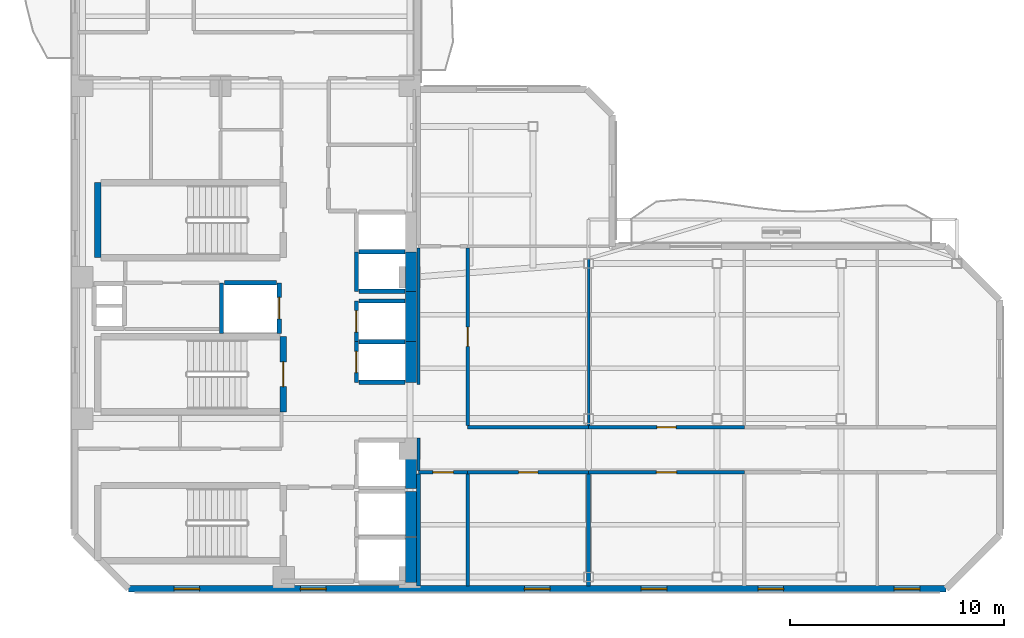
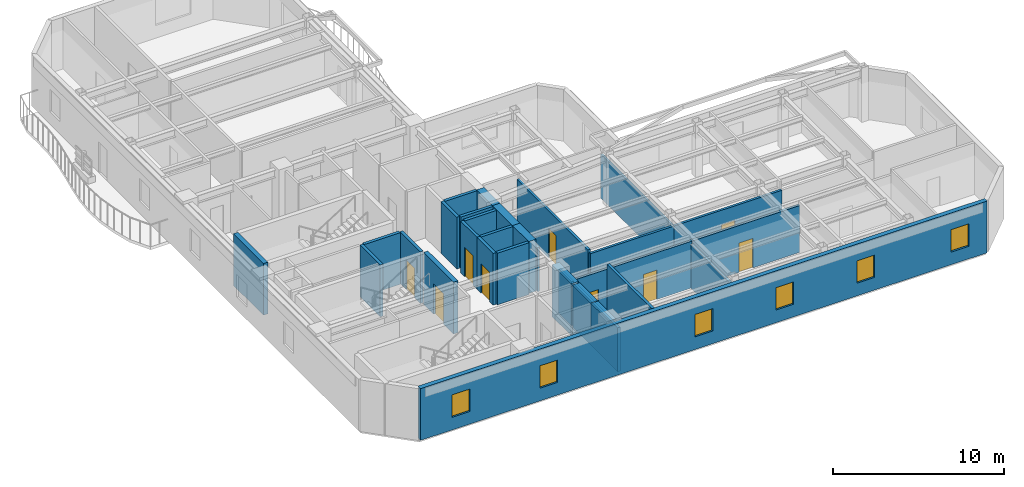
# One storey, part 3 of 13: 32 walls, 9 doors, 6 windows, 15 openings.
"""IFC4 building model written with IfcOpenShell, lengths in metres."""

from ifc_helpers import new_model, si_unit, direction, frame, frame_2d, origin, place, context, subcontext, project, spatial, rectangle, extrude, material, layer, layer_set, type_object, element, fill, save


model = new_model("IFC4")

# Units and contexts
model_context = context("Model", 3, precision=1e-05, world=origin(), true_north=direction((0.0, 1.0)))
body_context = subcontext(model_context, "Body", "Model", "MODEL_VIEW")
ifc_project = project(units=[si_unit("LENGTHUNIT", "METRE"), si_unit("AREAUNIT", "SQUARE_METRE"), si_unit("VOLUMEUNIT", "CUBIC_METRE"), si_unit("PLANEANGLEUNIT", "RADIAN"), si_unit("MASSUNIT", "GRAM", prefix="KILO")], contexts=[model_context])

# Site, building, storey
site_placement = place(None, origin())
site = spatial("IfcSite", under=ifc_project, at=site_placement, CompositionType="ELEMENT")
building_placement = place(site_placement, origin())
building = spatial("IfcBuilding", under=site, at=building_placement, Name="Mawjaban Terraces University", CompositionType="ELEMENT")
storey_placement = place(building_placement, frame((0.0, 0.0, 199.199951171875)))
storey = spatial("IfcBuildingStorey", under=building, at=storey_placement, Name="L48", CompositionType="ELEMENT", Elevation=199.199951171875)

# Wall, opening, door
ifc_material_1 = material(Name="Acoustic masonry blockwork", Category="masonry")
ifc_layer_1 = layer(ifc_material_1, 0.179931640625)
ifc_layer_set_1 = layer_set([ifc_layer_1], Name="Acoustic masonry blockwork")
wall_type_1 = type_object("IfcWallType", Name="AcousticStudioWall_180", PredefinedType="PARTITIONING", material=ifc_layer_set_1)
wall_1_placement = place(storey_placement, frame((38.050048828125, 5.449951171875, 0.0), z_axis=(0.0, 0.0, 1.0), x_axis=(1.0, 0.0, 0.0)))
wall_1 = element("IfcWall", 1, at=wall_1_placement, inside=storey, type_object=wall_type_1, Name="L48 South Spine Spur Link Partition 18", PredefinedType="PARTITIONING", context=body_context, shape_type="SweptSolid", body=[
    extrude(rectangle(XDim=2.300048828125, YDim=0.179931640625, at=frame_2d((1.14990234375, 0.0))), origin(), (0.0, 0.0, 1.0), 3.343017578125),
])
opening_1_placement = place(wall_1_placement, frame((0.675048828125, 0.0, 0.0)))
opening_1 = element("IfcOpeningElement", 2, at=opening_1_placement, cuts=wall_1, Name="Opening ID-095", PredefinedType="OPENING", context=body_context, shape_type="SweptSolid", body=[
    extrude(rectangle(XDim=0.949951171875, YDim=2.10009765625, at=frame_2d((0.47509765625, 1.050048828125))), frame((0.0, 0.099853515625, 0.0), z_axis=(0.0, -1.0, 0.0), x_axis=(1.0, 0.0, 0.0)), (0.0, 0.0, 1.0), 0.199951171875),
])
ifc_material_2 = material(Name="Powder-coated steel frame and solid acoustic timber leaf", Category="steel")
door_type_1 = type_object("IfcDoorType", Name="StudioDoor_950x2100", OperationType="NOTDEFINED", PredefinedType="DOOR", material=ifc_material_2)
door_1_placement = place(opening_1_placement, origin())
door_1 = element("IfcDoor", 3, at=door_1_placement, inside=storey, type_object=door_type_1, Name="L48 Media Workshop 1 Door", OperationType="SINGLE_SWING_RIGHT", OverallHeight=2.10009765625, OverallWidth=0.949951171875, PredefinedType="DOOR", context=body_context, shape_type="SweptSolid", body=[
    extrude(rectangle(XDim=0.949951171875, YDim=2.10009765625, at=frame_2d((0.47509765625, 1.050048828125))), frame((0.0, 0.02490234375, 0.0), z_axis=(0.0, -1.0, 0.0), x_axis=(1.0, 0.0, 0.0)), (0.0, 0.0, 1.0), 0.050048828125),
])
fill(opening_1, door_1)

wall_2_placement = place(storey_placement, frame((46.0, 5.449951171875, 0.0), z_axis=(0.0, 0.0, 1.0), x_axis=(1.0, 0.0, 0.0)))
wall_2 = element("IfcWall", 4, at=wall_2_placement, inside=storey, type_object=wall_type_1, Name="L48 South Shifted Academic Corridor Partition 21", PredefinedType="PARTITIONING", context=body_context, shape_type="SweptSolid", body=[
    extrude(rectangle(XDim=7.27001953125, YDim=0.179931640625, at=frame_2d((3.635009765625, 0.0))), origin(), (0.0, 0.0, 1.0), 3.343017578125),
])
opening_2_placement = place(wall_2_placement, frame((3.159912109375, 0.0, 0.0)))
opening_2 = element("IfcOpeningElement", 5, at=opening_2_placement, cuts=wall_2, Name="Opening ID-095", PredefinedType="OPENING", context=body_context, shape_type="SweptSolid", body=[
    extrude(rectangle(XDim=0.949951171875, YDim=2.10009765625, at=frame_2d((0.47509765625, 1.050048828125))), frame((0.0, 0.099853515625, 0.0), z_axis=(0.0, -1.0, 0.0), x_axis=(1.0, 0.0, 0.0)), (0.0, 0.0, 1.0), 0.199951171875),
])
door_2_placement = place(opening_2_placement, origin())
door_2 = element("IfcDoor", 6, at=door_2_placement, inside=storey, type_object=door_type_1, Name="L48 Media Workshop 4 Door", OperationType="SINGLE_SWING_LEFT", OverallHeight=2.10009765625, OverallWidth=0.949951171875, PredefinedType="DOOR", context=body_context, shape_type="SweptSolid", body=[
    extrude(rectangle(XDim=0.949951171875, YDim=2.10009765625, at=frame_2d((0.47509765625, 1.050048828125))), frame((0.0, 0.02490234375, 0.0), z_axis=(0.0, -1.0, 0.0), x_axis=(1.0, 0.0, 0.0)), (0.0, 0.0, 1.0), 0.050048828125),
])
fill(opening_2, door_2)

# Walls
wall_3_placement = place(storey_placement, frame((38.050048828125, 5.364990234375, 0.0), z_axis=(0.0, 0.0, 1.0), x_axis=(0.0, -1.0, 0.0)))
element("IfcWall", 7, at=wall_3_placement, inside=storey, type_object=wall_type_1, Name="L48 Media Workshop 1 Partition 46", PredefinedType="PARTITIONING", context=body_context, shape_type="SweptSolid", body=[
    extrude(rectangle(XDim=5.219970703125, YDim=0.179931640625, at=frame_2d((2.60986328125, 0.0))), origin(), (0.0, 0.0, 1.0), 3.13916015625),
])
wall_4_placement = place(storey_placement, frame((40.35009765625, 0.14501953125, 0.0), z_axis=(0.0, 0.0, 1.0), x_axis=(0.0, 1.0, 0.0)))
element("IfcWall", 8, at=wall_4_placement, inside=storey, type_object=wall_type_1, Name="L48 Media Workshop 1 Partition 50", PredefinedType="PARTITIONING", context=body_context, shape_type="SweptSolid", body=[
    extrude(rectangle(XDim=5.219970703125, YDim=0.179931640625, at=frame_2d((2.60986328125, 0.0))), origin(), (0.0, 0.0, 1.0), 3.68994140625),
])
wall_5_placement = place(storey_placement, frame((46.0, 0.14501953125, 0.0), z_axis=(0.0, 0.0, 1.0), x_axis=(0.0, 1.0, 0.0)))
element("IfcWall", 9, at=wall_5_placement, inside=storey, type_object=wall_type_1, Name="L48 Quiet Reading Room 2 Partition 52", PredefinedType="PARTITIONING", context=body_context, shape_type="SweptSolid", body=[
    extrude(rectangle(XDim=5.219970703125, YDim=0.179931640625, at=frame_2d((2.60986328125, 0.0))), origin(), (0.0, 0.0, 1.0), 3.13916015625),
])
ifc_material_3 = material(Name="Concrete C60/75", Category="concrete")
ifc_layer_2 = layer(ifc_material_3, 0.5)
ifc_layer_set_2 = layer_set([ifc_layer_2], Name="Concrete C60/75")
wall_type_2 = type_object("IfcWallType", Name="CoreShearWall_500", PredefinedType="SHEAR", material=ifc_layer_set_2)
wall_6_placement = place(storey_placement, frame((37.699951171875, 0.300048828125, 0.0), z_axis=(0.0, 0.0, 1.0), x_axis=(0.0, 1.0, 0.0)))
element("IfcWall", 10, at=wall_6_placement, inside=storey, type_object=wall_type_2, Name="L48 Lift FL-1 Hoistway Wall East", PredefinedType="SHEAR", context=body_context, shape_type="SweptSolid", body=[
    extrude(rectangle(XDim=2.099853515625, YDim=0.5, at=frame_2d((1.0498046875, 0.0))), origin(), (0.0, 0.0, 1.0), 3.68994140625),
])
wall_7_placement = place(storey_placement, frame((37.699951171875, 2.449951171875, 0.0), z_axis=(0.0, 0.0, 1.0), x_axis=(0.0, 1.0, 0.0)))
element("IfcWall", 11, at=wall_7_placement, inside=storey, type_object=wall_type_2, Name="L48 Lift FL-2 Hoistway Wall East", PredefinedType="SHEAR", context=body_context, shape_type="SweptSolid", body=[
    extrude(rectangle(XDim=2.10009765625, YDim=0.5, at=frame_2d((1.050048828125, 0.0))), origin(), (0.0, 0.0, 1.0), 3.68994140625),
])
wall_8_placement = place(storey_placement, frame((37.699951171875, 4.699951171875, 0.0), z_axis=(0.0, 0.0, 1.0), x_axis=(0.0, 1.0, 0.0)))
element("IfcWall", 12, at=wall_8_placement, inside=storey, type_object=wall_type_2, Name="L48 Lift SL-1 Hoistway Wall East", PredefinedType="SHEAR", context=body_context, shape_type="SweptSolid", body=[
    extrude(rectangle(XDim=2.25, YDim=0.5, at=frame_2d((1.125, 0.0))), origin(), (0.0, 0.0, 1.0), 3.68994140625),
])
wall_9_placement = place(storey_placement, frame((37.699951171875, 9.64990234375, 0.0), z_axis=(0.0, 0.0, 1.0), x_axis=(0.0, 1.0, 0.0)))
element("IfcWall", 13, at=wall_9_placement, inside=storey, type_object=wall_type_2, Name="L48 Lift PL-H1 Hoistway Wall East", PredefinedType="SHEAR", context=body_context, shape_type="SweptSolid", body=[
    extrude(rectangle(XDim=1.900146484375, YDim=0.5, at=frame_2d((0.9501953125, 0.0))), origin(), (0.0, 0.0, 1.0), 3.68994140625),
])
wall_10_placement = place(storey_placement, frame((37.699951171875, 11.550048828125, 0.0), z_axis=(0.0, 0.0, 1.0), x_axis=(0.0, 1.0, 0.0)))
element("IfcWall", 14, at=wall_10_placement, inside=storey, type_object=wall_type_2, Name="L48 Lift PL-H2 Hoistway Wall East", PredefinedType="SHEAR", context=body_context, shape_type="SweptSolid", body=[
    extrude(rectangle(XDim=2.349853515625, YDim=0.5, at=frame_2d((1.1748046875, 0.0))), origin(), (0.0, 0.0, 1.0), 3.68994140625),
])
wall_11_placement = place(storey_placement, frame((37.699951171875, 13.89990234375, 0.0), z_axis=(0.0, 0.0, 1.0), x_axis=(0.0, 1.0, 0.0)))
element("IfcWall", 15, at=wall_11_placement, inside=storey, type_object=wall_type_2, Name="L48 Lift OL-1 Hoistway Wall East", PredefinedType="SHEAR", context=body_context, shape_type="SweptSolid", body=[
    extrude(rectangle(XDim=1.85009765625, YDim=0.5, at=frame_2d((0.925048828125, 0.0))), origin(), (0.0, 0.0, 1.0), 3.68994140625),
])

# Wall, opening, door
ifc_material_4 = material(Name="Fire-rated gypsum board on steel stud", Category="steel")
ifc_layer_3 = layer(ifc_material_4, 0.159912109375)
ifc_layer_set_3 = layer_set([ifc_layer_3], Name="Fire-rated gypsum board on steel stud")
wall_type_3 = type_object("IfcWallType", Name="CorridorPartition_160", PredefinedType="PARTITIONING", material=ifc_layer_set_3)
wall_12_placement = place(storey_placement, frame((40.35009765625, 5.449951171875, 0.0), z_axis=(0.0, 0.0, 1.0), x_axis=(1.0, 0.0, 0.0)))
wall_12 = element("IfcWall", 16, at=wall_12_placement, inside=storey, type_object=wall_type_3, Name="L48 South Shifted Academic Corridor Partition 19", PredefinedType="PARTITIONING", context=body_context, shape_type="SweptSolid", body=[
    extrude(rectangle(XDim=5.64990234375, YDim=0.159912109375, at=frame_2d((2.824951171875, 0.0))), origin(), (0.0, 0.0, 1.0), 3.343017578125),
])
opening_3_placement = place(wall_12_placement, frame((2.375, 0.0, 0.0)))
opening_3 = element("IfcOpeningElement", 17, at=opening_3_placement, cuts=wall_12, Name="Opening ID-090", PredefinedType="OPENING", context=body_context, shape_type="SweptSolid", body=[
    extrude(rectangle(XDim=0.89990234375, YDim=2.10009765625, at=frame_2d((0.449951171875, 1.050048828125))), frame((0.0, 0.08984375, 0.0), z_axis=(0.0, -1.0, 0.0), x_axis=(1.0, 0.0, 0.0)), (0.0, 0.0, 1.0), 0.179931640625),
])
door_type_2 = type_object("IfcDoorType", Name="OfficeDoor_900x2100", OperationType="NOTDEFINED", PredefinedType="DOOR", material=ifc_material_2)
door_3_placement = place(opening_3_placement, origin())
door_3 = element("IfcDoor", 18, at=door_3_placement, inside=storey, type_object=door_type_2, Name="L48 Quiet Reading Room 2 Door", OperationType="SINGLE_SWING_LEFT", OverallHeight=2.10009765625, OverallWidth=0.89990234375, PredefinedType="DOOR", context=body_context, shape_type="SweptSolid", body=[
    extrude(rectangle(XDim=0.89990234375, YDim=2.10009765625, at=frame_2d((0.449951171875, 1.050048828125))), frame((0.0, 0.02490234375, 0.0), z_axis=(0.0, -1.0, 0.0), x_axis=(1.0, 0.0, 0.0)), (0.0, 0.0, 1.0), 0.050048828125),
])
fill(opening_3, door_3)

# Wall
wall_13_placement = place(storey_placement, frame((46.0, 7.550048828125, 0.0), z_axis=(0.0, 0.0, 1.0), x_axis=(-1.0, 0.0, 0.0)))
element("IfcWall", 19, at=wall_13_placement, inside=storey, type_object=wall_type_3, Name="L48 South Shifted Academic Corridor Partition 22", PredefinedType="PARTITIONING", context=body_context, shape_type="SweptSolid", body=[
    extrude(rectangle(XDim=5.64990234375, YDim=0.159912109375, at=frame_2d((2.824951171875, 0.0))), origin(), (0.0, 0.0, 1.0), 3.13916015625),
])

# Wall, opening, door
wall_14_placement = place(storey_placement, frame((53.27001953125, 7.550048828125, 0.0), z_axis=(0.0, 0.0, 1.0), x_axis=(-1.0, 0.0, 0.0)))
wall_14 = element("IfcWall", 20, at=wall_14_placement, inside=storey, type_object=wall_type_3, Name="L48 South Shifted Academic Corridor Partition 26", PredefinedType="PARTITIONING", context=body_context, shape_type="SweptSolid", body=[
    extrude(rectangle(XDim=7.27001953125, YDim=0.159912109375, at=frame_2d((3.635009765625, 0.0))), origin(), (0.0, 0.0, 1.0), 3.13916015625),
])
opening_4_placement = place(wall_14_placement, frame((3.18505859375, 0.0, 0.0)))
opening_4 = element("IfcOpeningElement", 21, at=opening_4_placement, cuts=wall_14, Name="Opening ID-090", PredefinedType="OPENING", context=body_context, shape_type="SweptSolid", body=[
    extrude(rectangle(XDim=0.89990234375, YDim=2.10009765625, at=frame_2d((0.449951171875, 1.050048828125))), frame((0.0, 0.08984375, 0.0), z_axis=(0.0, -1.0, 0.0), x_axis=(1.0, 0.0, 0.0)), (0.0, 0.0, 1.0), 0.179931640625),
])
door_4_placement = place(opening_4_placement, origin())
door_4 = element("IfcDoor", 22, at=door_4_placement, inside=storey, type_object=door_type_2, Name="L48 Quiet Reading Room 5 Door", OperationType="SINGLE_SWING_RIGHT", OverallHeight=2.10009765625, OverallWidth=0.89990234375, PredefinedType="DOOR", context=body_context, shape_type="SweptSolid", body=[
    extrude(rectangle(XDim=0.89990234375, YDim=2.10009765625, at=frame_2d((0.449951171875, 1.050048828125))), frame((0.0, 0.02490234375, 0.0), z_axis=(0.0, -1.0, 0.0), x_axis=(1.0, 0.0, 0.0)), (0.0, 0.0, 1.0), 0.050048828125),
])
fill(opening_4, door_4)

# Walls
wall_15_placement = place(storey_placement, frame((38.050048828125, 7.050048828125, 0.0), z_axis=(0.0, 0.0, 1.0), x_axis=(0.0, -1.0, 0.0)))
element("IfcWall", 23, at=wall_15_placement, inside=storey, type_object=wall_type_3, Name="L48 South Spine Spur Link Partition 47", PredefinedType="PARTITIONING", context=body_context, shape_type="SweptSolid", body=[
    extrude(rectangle(XDim=1.51513671875, YDim=0.159912109375, at=frame_2d((0.757568359375, 0.0))), origin(), (0.0, 0.0, 1.0), 3.13916015625),
])
wall_16_placement = place(storey_placement, frame((38.050048828125, 15.925048828125, 0.0), z_axis=(0.0, 0.0, 1.0), x_axis=(0.0, -1.0, 0.0)))
element("IfcWall", 24, at=wall_16_placement, inside=storey, type_object=wall_type_3, Name="L48 South Spine Spur Link Partition 48", PredefinedType="PARTITIONING", context=body_context, shape_type="SweptSolid", body=[
    extrude(rectangle(XDim=6.375, YDim=0.159912109375, at=frame_2d((3.1875, 0.0))), origin(), (0.0, 0.0, 1.0), 3.13916015625),
])

# Wall, opening, door
wall_17_placement = place(storey_placement, frame((40.35009765625, 7.625, 0.0), z_axis=(0.0, 0.0, 1.0), x_axis=(0.0, 1.0, 0.0)))
wall_17 = element("IfcWall", 25, at=wall_17_placement, inside=storey, type_object=wall_type_3, Name="L48 South Spine Spur Link Partition 51", PredefinedType="PARTITIONING", context=body_context, shape_type="SweptSolid", body=[
    extrude(rectangle(XDim=8.300048828125, YDim=0.159912109375, at=frame_2d((4.14990234375, 0.0))), origin(), (0.0, 0.0, 1.0), 3.343017578125),
])
opening_5_placement = place(wall_17_placement, frame((3.699951171875, 0.0, 0.0)))
opening_5 = element("IfcOpeningElement", 26, at=opening_5_placement, cuts=wall_17, Name="Opening ID-090", PredefinedType="OPENING", context=body_context, shape_type="SweptSolid", body=[
    extrude(rectangle(XDim=0.89990234375, YDim=2.10009765625, at=frame_2d((0.449951171875, 1.050048828125))), frame((0.0, 0.08984375, 0.0), z_axis=(0.0, -1.0, 0.0), x_axis=(1.0, 0.0, 0.0)), (0.0, 0.0, 1.0), 0.179931640625),
])
door_5_placement = place(opening_5_placement, origin())
door_5 = element("IfcDoor", 27, at=door_5_placement, inside=storey, type_object=door_type_2, Name="L48 Reading Salon 3 Door", OperationType="SINGLE_SWING_RIGHT", OverallHeight=2.10009765625, OverallWidth=0.89990234375, PredefinedType="DOOR", context=body_context, shape_type="SweptSolid", body=[
    extrude(rectangle(XDim=0.89990234375, YDim=2.10009765625, at=frame_2d((0.449951171875, 1.050048828125))), frame((0.0, 0.02490234375, 0.0), z_axis=(0.0, -1.0, 0.0), x_axis=(1.0, 0.0, 0.0)), (0.0, 0.0, 1.0), 0.050048828125),
])
fill(opening_5, door_5)

# Wall, openings, windows
ifc_material_5 = material(Name="Insulated terracotta rainscreen on concrete backup C40/50", Category="masonry")
ifc_layer_4 = layer(ifc_material_5, 0.300048828125)
ifc_layer_set_4 = layer_set([ifc_layer_4], Name="Insulated terracotta rainscreen on concrete backup C40/50")
wall_type_4 = type_object("IfcWallType", Name="ExtTerracottaWall_300", PredefinedType="SOLIDWALL", material=ifc_layer_set_4)
wall_18_placement = place(storey_placement, frame((24.5, 0.0, 0.0), z_axis=(0.0, 0.0, 1.0), x_axis=(1.0, 0.0, 0.0)))
wall_18 = element("IfcWall", 28, at=wall_18_placement, inside=storey, type_object=wall_type_4, Name="L48 Exterior Terracotta Wall 1", PredefinedType="SOLIDWALL", context=body_context, shape_type="SweptSolid", body=[
    extrude(rectangle(XDim=38.199951171875, YDim=0.300048828125, at=frame_2d((19.10009765625, 0.0))), origin(), (0.0, 0.0, 1.0), 3.68994140625),
])
opening_6_placement = place(wall_18_placement, frame((2.12890625, 0.0, 0.89990234375)))
opening_6 = element("IfcOpeningElement", 29, at=opening_6_placement, cuts=wall_18, Name="Opening W-01", PredefinedType="OPENING", context=body_context, shape_type="SweptSolid", body=[
    extrude(rectangle(XDim=1.199951171875, YDim=1.60009765625, at=frame_2d((0.60009765625, 0.800048828125))), frame((0.0, 0.159912109375, 0.0), z_axis=(0.0, -1.0, 0.0), x_axis=(1.0, 0.0, 0.0)), (0.0, 0.0, 1.0), 0.320068359375),
])
opening_7_placement = place(wall_18_placement, frame((8.035888671875, 0.0, 0.89990234375)))
opening_7 = element("IfcOpeningElement", 30, at=opening_7_placement, cuts=wall_18, Name="Opening W-01", PredefinedType="OPENING", context=body_context, shape_type="SweptSolid", body=[
    extrude(rectangle(XDim=1.199951171875, YDim=1.60009765625, at=frame_2d((0.60009765625, 0.800048828125))), frame((0.0, 0.159912109375, 0.0), z_axis=(0.0, -1.0, 0.0), x_axis=(1.0, 0.0, 0.0)), (0.0, 0.0, 1.0), 0.320068359375),
])
opening_8_placement = place(wall_18_placement, frame((18.5, 0.0, 0.89990234375)))
opening_8 = element("IfcOpeningElement", 31, at=opening_8_placement, cuts=wall_18, Name="Opening W-01", PredefinedType="OPENING", context=body_context, shape_type="SweptSolid", body=[
    extrude(rectangle(XDim=1.199951171875, YDim=1.60009765625, at=frame_2d((0.60009765625, 0.800048828125))), frame((0.0, 0.159912109375, 0.0), z_axis=(0.0, -1.0, 0.0), x_axis=(1.0, 0.0, 0.0)), (0.0, 0.0, 1.0), 0.320068359375),
])
opening_9_placement = place(wall_18_placement, frame((23.95703125, 0.0, 0.89990234375)))
opening_9 = element("IfcOpeningElement", 32, at=opening_9_placement, cuts=wall_18, Name="Opening W-01", PredefinedType="OPENING", context=body_context, shape_type="SweptSolid", body=[
    extrude(rectangle(XDim=1.199951171875, YDim=1.60009765625, at=frame_2d((0.60009765625, 0.800048828125))), frame((0.0, 0.159912109375, 0.0), z_axis=(0.0, -1.0, 0.0), x_axis=(1.0, 0.0, 0.0)), (0.0, 0.0, 1.0), 0.320068359375),
])
opening_10_placement = place(wall_18_placement, frame((29.4140625, 0.0, 0.89990234375)))
opening_10 = element("IfcOpeningElement", 33, at=opening_10_placement, cuts=wall_18, Name="Opening W-01", PredefinedType="OPENING", context=body_context, shape_type="SweptSolid", body=[
    extrude(rectangle(XDim=1.199951171875, YDim=1.60009765625, at=frame_2d((0.60009765625, 0.800048828125))), frame((0.0, 0.159912109375, 0.0), z_axis=(0.0, -1.0, 0.0), x_axis=(1.0, 0.0, 0.0)), (0.0, 0.0, 1.0), 0.320068359375),
])
opening_11_placement = place(wall_18_placement, frame((35.77099609375, 0.0, 0.89990234375)))
opening_11 = element("IfcOpeningElement", 34, at=opening_11_placement, cuts=wall_18, Name="Opening W-01", PredefinedType="OPENING", context=body_context, shape_type="SweptSolid", body=[
    extrude(rectangle(XDim=1.199951171875, YDim=1.60009765625, at=frame_2d((0.60009765625, 0.800048828125))), frame((0.0, 0.159912109375, 0.0), z_axis=(0.0, -1.0, 0.0), x_axis=(1.0, 0.0, 0.0)), (0.0, 0.0, 1.0), 0.320068359375),
])
ifc_material_6 = material(Name="Low-E solar-control double glazing in thermally broken aluminium frame", Category="aluminium")
window_type = type_object("IfcWindowType", Name="Win_1200x1600", PartitioningType="SINGLE_PANEL", PredefinedType="WINDOW", material=ifc_material_6)
window_1_placement = place(opening_6_placement, origin())
window_1 = element("IfcWindow", 35, at=window_1_placement, inside=storey, type_object=window_type, Name="L48 Facade Window 1.1", OverallHeight=1.60009765625, OverallWidth=1.199951171875, PartitioningType="SINGLE_PANEL", PredefinedType="WINDOW", context=body_context, shape_type="SweptSolid", body=[
    extrude(rectangle(XDim=1.199951171875, YDim=1.60009765625, at=frame_2d((0.60009765625, 0.800048828125))), frame((0.0, 0.030029296875, 0.0), z_axis=(0.0, -1.0, 0.0), x_axis=(1.0, 0.0, 0.0)), (0.0, 0.0, 1.0), 0.06005859375),
])
fill(opening_6, window_1)
window_2_placement = place(opening_7_placement, origin())
window_2 = element("IfcWindow", 36, at=window_2_placement, inside=storey, type_object=window_type, Name="L48 Facade Window 1.2", OverallHeight=1.60009765625, OverallWidth=1.199951171875, PartitioningType="SINGLE_PANEL", PredefinedType="WINDOW", context=body_context, shape_type="SweptSolid", body=[
    extrude(rectangle(XDim=1.199951171875, YDim=1.60009765625, at=frame_2d((0.60009765625, 0.800048828125))), frame((0.0, 0.030029296875, 0.0), z_axis=(0.0, -1.0, 0.0), x_axis=(1.0, 0.0, 0.0)), (0.0, 0.0, 1.0), 0.06005859375),
])
fill(opening_7, window_2)
window_3_placement = place(opening_8_placement, origin())
window_3 = element("IfcWindow", 37, at=window_3_placement, inside=storey, type_object=window_type, Name="L48 Facade Window 1.4", OverallHeight=1.60009765625, OverallWidth=1.199951171875, PartitioningType="SINGLE_PANEL", PredefinedType="WINDOW", context=body_context, shape_type="SweptSolid", body=[
    extrude(rectangle(XDim=1.199951171875, YDim=1.60009765625, at=frame_2d((0.60009765625, 0.800048828125))), frame((0.0, 0.030029296875, 0.0), z_axis=(0.0, -1.0, 0.0), x_axis=(1.0, 0.0, 0.0)), (0.0, 0.0, 1.0), 0.06005859375),
])
fill(opening_8, window_3)
window_4_placement = place(opening_9_placement, origin())
window_4 = element("IfcWindow", 38, at=window_4_placement, inside=storey, type_object=window_type, Name="L48 Facade Window 1.5", OverallHeight=1.60009765625, OverallWidth=1.199951171875, PartitioningType="SINGLE_PANEL", PredefinedType="WINDOW", context=body_context, shape_type="SweptSolid", body=[
    extrude(rectangle(XDim=1.199951171875, YDim=1.60009765625, at=frame_2d((0.60009765625, 0.800048828125))), frame((0.0, 0.030029296875, 0.0), z_axis=(0.0, -1.0, 0.0), x_axis=(1.0, 0.0, 0.0)), (0.0, 0.0, 1.0), 0.06005859375),
])
fill(opening_9, window_4)
window_5_placement = place(opening_10_placement, origin())
window_5 = element("IfcWindow", 39, at=window_5_placement, inside=storey, type_object=window_type, Name="L48 Facade Window 1.6", OverallHeight=1.60009765625, OverallWidth=1.199951171875, PartitioningType="SINGLE_PANEL", PredefinedType="WINDOW", context=body_context, shape_type="SweptSolid", body=[
    extrude(rectangle(XDim=1.199951171875, YDim=1.60009765625, at=frame_2d((0.60009765625, 0.800048828125))), frame((0.0, 0.030029296875, 0.0), z_axis=(0.0, -1.0, 0.0), x_axis=(1.0, 0.0, 0.0)), (0.0, 0.0, 1.0), 0.06005859375),
])
fill(opening_10, window_5)
window_6_placement = place(opening_11_placement, origin())
window_6 = element("IfcWindow", 40, at=window_6_placement, inside=storey, type_object=window_type, Name="L48 Facade Window 1.7", OverallHeight=1.60009765625, OverallWidth=1.199951171875, PartitioningType="SINGLE_PANEL", PredefinedType="WINDOW", context=body_context, shape_type="SweptSolid", body=[
    extrude(rectangle(XDim=1.199951171875, YDim=1.60009765625, at=frame_2d((0.60009765625, 0.800048828125))), frame((0.0, 0.030029296875, 0.0), z_axis=(0.0, -1.0, 0.0), x_axis=(1.0, 0.0, 0.0)), (0.0, 0.0, 1.0), 0.06005859375),
])
fill(opening_11, window_6)

# Wall, opening, door
ifc_material_7 = material(Name="Concrete C40/50", Category="concrete")
ifc_layer_5 = layer(ifc_material_7, 0.199951171875)
ifc_layer_set_5 = layer_set([ifc_layer_5], Name="Concrete C40/50")
wall_type_5 = type_object("IfcWallType", Name="FireLobbyWall_200", PredefinedType="SOLIDWALL", material=ifc_layer_set_5)
wall_19_placement = place(storey_placement, frame((35.14990234375, 11.550048828125, 0.0), z_axis=(0.0, 0.0, 1.0), x_axis=(0.0, -1.0, 0.0)))
wall_19 = element("IfcWall", 41, at=wall_19_placement, inside=storey, type_object=wall_type_5, Name="L48 Lift PL-H1 Hoistway Wall West", PredefinedType="SOLIDWALL", context=body_context, shape_type="SweptSolid", body=[
    extrude(rectangle(XDim=1.900146484375, YDim=0.199951171875, at=frame_2d((0.9501953125, 0.0))), origin(), (0.0, 0.0, 1.0), 3.68994140625),
])
opening_12_placement = place(wall_19_placement, frame((0.449951171875, 0.0, 0.0)))
opening_12 = element("IfcOpeningElement", 42, at=opening_12_placement, cuts=wall_19, Name="Opening LD-PL-H1", PredefinedType="OPENING", context=body_context, shape_type="SweptSolid", body=[
    extrude(rectangle(XDim=1.0, YDim=2.10009765625, at=frame_2d((0.5, 1.050048828125))), frame((0.0, 0.10986328125, 0.0), z_axis=(0.0, -1.0, 0.0), x_axis=(1.0, 0.0, 0.0)), (0.0, 0.0, 1.0), 0.219970703125),
])
ifc_material_8 = material(Name="Powder-coated steel frame and fire-rated steel-faced leaf", Category="steel")
door_type_3 = type_object("IfcDoorType", Name="LiftLandingSliding_1000x2100", OperationType="NOTDEFINED", PredefinedType="DOOR", material=ifc_material_8)
door_6_placement = place(opening_12_placement, origin())
door_6 = element("IfcDoor", 43, at=door_6_placement, inside=storey, type_object=door_type_3, Name="L48 Lift PL-H1 Sliding Landing Door", OperationType="DOUBLE_DOOR_SLIDING", OverallHeight=2.10009765625, OverallWidth=1.0, PredefinedType="DOOR", context=body_context, shape_type="SweptSolid", body=[
    extrude(rectangle(XDim=1.0, YDim=2.10009765625, at=frame_2d((0.5, 1.050048828125))), frame((0.0, 0.02490234375, 0.0), z_axis=(0.0, -1.0, 0.0), x_axis=(1.0, 0.0, 0.0)), (0.0, 0.0, 1.0), 0.050048828125),
])
fill(opening_12, door_6)

# Walls
for number, where, z_axis, x_axis, name in (
    (44, (35.280029296875, 9.64990234375, 0.0), (0.0, 0.0, 1.0), (1.0, 0.0, 0.0), "L48 Lift PL-H1 Hoistway Wall South"),
    (45, (37.419921875, 11.550048828125, 0.0), (0.0, 0.0, 1.0), (-1.0, 0.0, 0.0), "L48 Lift PL-H1 Hoistway Wall North"),
):
    element("IfcWall", number, at=place(storey_placement, frame(where, z_axis=z_axis, x_axis=x_axis)), inside=storey, type_object=wall_type_5, Name=name, PredefinedType="SOLIDWALL", context=body_context, shape_type="SweptSolid", body=[
        extrude(rectangle(XDim=2.139892578125, YDim=0.199951171875, at=frame_2d((1.06982421875, 0.0))), origin(), (0.0, 0.0, 1.0), 3.68994140625),
    ])

# Wall, opening, door
wall_20_placement = place(storey_placement, frame((35.14990234375, 13.449951171875, 0.0), z_axis=(0.0, 0.0, 1.0), x_axis=(0.0, -1.0, 0.0)))
wall_20 = element("IfcWall", 46, at=wall_20_placement, inside=storey, type_object=wall_type_5, Name="L48 Lift PL-H2 Hoistway Wall West", PredefinedType="SOLIDWALL", context=body_context, shape_type="SweptSolid", body=[
    extrude(rectangle(XDim=1.89990234375, YDim=0.199951171875, at=frame_2d((0.949951171875, 0.0))), origin(), (0.0, 0.0, 1.0), 3.68994140625),
])
opening_13_placement = place(wall_20_placement, frame((0.449951171875, 0.0, 0.0)))
opening_13 = element("IfcOpeningElement", 47, at=opening_13_placement, cuts=wall_20, Name="Opening LD-PL-H2", PredefinedType="OPENING", context=body_context, shape_type="SweptSolid", body=[
    extrude(rectangle(XDim=1.0, YDim=2.10009765625, at=frame_2d((0.5, 1.050048828125))), frame((0.0, 0.10986328125, 0.0), z_axis=(0.0, -1.0, 0.0), x_axis=(1.0, 0.0, 0.0)), (0.0, 0.0, 1.0), 0.219970703125),
])
door_7_placement = place(opening_13_placement, origin())
door_7 = element("IfcDoor", 48, at=door_7_placement, inside=storey, type_object=door_type_3, Name="L48 Lift PL-H2 Sliding Landing Door", OperationType="DOUBLE_DOOR_SLIDING", OverallHeight=2.10009765625, OverallWidth=1.0, PredefinedType="DOOR", context=body_context, shape_type="SweptSolid", body=[
    extrude(rectangle(XDim=1.0, YDim=2.10009765625, at=frame_2d((0.5, 1.050048828125))), frame((0.0, 0.02490234375, 0.0), z_axis=(0.0, -1.0, 0.0), x_axis=(1.0, 0.0, 0.0)), (0.0, 0.0, 1.0), 0.050048828125),
])
fill(opening_13, door_7)

# Walls
wall_21_placement = place(storey_placement, frame((37.419921875, 13.449951171875, 0.0), z_axis=(0.0, 0.0, 1.0), x_axis=(-1.0, 0.0, 0.0)))
element("IfcWall", 49, at=wall_21_placement, inside=storey, type_object=wall_type_5, Name="L48 Lift PL-H2 Hoistway Wall North", PredefinedType="SOLIDWALL", context=body_context, shape_type="SweptSolid", body=[
    extrude(rectangle(XDim=2.139892578125, YDim=0.199951171875, at=frame_2d((1.06982421875, 0.0))), origin(), (0.0, 0.0, 1.0), 3.68994140625),
])
wall_22_placement = place(storey_placement, frame((28.85009765625, 14.300048828125, 0.0), z_axis=(0.0, 0.0, 1.0), x_axis=(0.0, -1.0, 0.0)))
element("IfcWall", 50, at=wall_22_placement, inside=storey, type_object=wall_type_5, Name="L48 Lift PL-H3 Hoistway Wall West", PredefinedType="SOLIDWALL", context=body_context, shape_type="SweptSolid", body=[
    extrude(rectangle(XDim=2.3701171875, YDim=0.199951171875, at=frame_2d((1.18505859375, 0.0))), origin(), (0.0, 0.0, 1.0), 3.68994140625),
])

# Wall, opening, door
wall_23_placement = place(storey_placement, frame((31.550048828125, 11.929931640625, 0.0), z_axis=(0.0, 0.0, 1.0), x_axis=(0.0, 1.0, 0.0)))
wall_23 = element("IfcWall", 51, at=wall_23_placement, inside=storey, type_object=wall_type_5, Name="L48 Lift PL-H3 Hoistway Wall East", PredefinedType="SOLIDWALL", context=body_context, shape_type="SweptSolid", body=[
    extrude(rectangle(XDim=2.3701171875, YDim=0.199951171875, at=frame_2d((1.18505859375, 0.0))), origin(), (0.0, 0.0, 1.0), 3.68994140625),
])
opening_14_placement = place(wall_23_placement, frame((0.68505859375, 0.0, 0.0)))
opening_14 = element("IfcOpeningElement", 52, at=opening_14_placement, cuts=wall_23, Name="Opening LD-PL-H3", PredefinedType="OPENING", context=body_context, shape_type="SweptSolid", body=[
    extrude(rectangle(XDim=1.0, YDim=2.10009765625, at=frame_2d((0.5, 1.050048828125))), frame((0.0, 0.10986328125, 0.0), z_axis=(0.0, -1.0, 0.0), x_axis=(1.0, 0.0, 0.0)), (0.0, 0.0, 1.0), 0.219970703125),
])
door_8_placement = place(opening_14_placement, origin())
door_8 = element("IfcDoor", 53, at=door_8_placement, inside=storey, type_object=door_type_3, Name="L48 Lift PL-H3 Sliding Landing Door", OperationType="DOUBLE_DOOR_SLIDING", OverallHeight=2.10009765625, OverallWidth=1.0, PredefinedType="DOOR", context=body_context, shape_type="SweptSolid", body=[
    extrude(rectangle(XDim=1.0, YDim=2.10009765625, at=frame_2d((0.5, 1.050048828125))), frame((0.0, 0.02490234375, 0.0), z_axis=(0.0, -1.0, 0.0), x_axis=(1.0, 0.0, 0.0)), (0.0, 0.0, 1.0), 0.050048828125),
])
fill(opening_14, door_8)

# Walls
wall_24_placement = place(storey_placement, frame((31.419921875, 14.300048828125, 0.0), z_axis=(0.0, 0.0, 1.0), x_axis=(-1.0, 0.0, 0.0)))
element("IfcWall", 54, at=wall_24_placement, inside=storey, type_object=wall_type_5, Name="L48 Lift PL-H3 Hoistway Wall North", PredefinedType="SOLIDWALL", context=body_context, shape_type="SweptSolid", body=[
    extrude(rectangle(XDim=2.43994140625, YDim=0.199951171875, at=frame_2d((1.219970703125, 0.0))), origin(), (0.0, 0.0, 1.0), 3.68994140625),
])
wall_25_placement = place(storey_placement, frame((35.14990234375, 15.75, 0.0), z_axis=(0.0, 0.0, 1.0), x_axis=(0.0, -1.0, 0.0)))
element("IfcWall", 55, at=wall_25_placement, inside=storey, type_object=wall_type_5, Name="L48 Lift OL-1 Hoistway Wall West", PredefinedType="SOLIDWALL", context=body_context, shape_type="SweptSolid", body=[
    extrude(rectangle(XDim=1.85009765625, YDim=0.199951171875, at=frame_2d((0.925048828125, 0.0))), origin(), (0.0, 0.0, 1.0), 3.68994140625),
])
for number, where, z_axis, x_axis, name in (
    (56, (35.280029296875, 13.89990234375, 0.0), (0.0, 0.0, 1.0), (1.0, 0.0, 0.0), "L48 Lift OL-1 Hoistway Wall South"),
    (57, (37.419921875, 15.75, 0.0), (0.0, 0.0, 1.0), (-1.0, 0.0, 0.0), "L48 Lift OL-1 Hoistway Wall North"),
):
    element("IfcWall", number, at=place(storey_placement, frame(where, z_axis=z_axis, x_axis=x_axis)), inside=storey, type_object=wall_type_5, Name=name, PredefinedType="SOLIDWALL", context=body_context, shape_type="SweptSolid", body=[
        extrude(rectangle(XDim=2.139892578125, YDim=0.199951171875, at=frame_2d((1.06982421875, 0.0))), origin(), (0.0, 0.0, 1.0), 3.68994140625),
    ])
ifc_material_9 = material(Name="Gypsum plasterboard on steel stud", Category="steel")
ifc_layer_6 = layer(ifc_material_9, 0.125)
ifc_layer_set_6 = layer_set([ifc_layer_6], Name="Gypsum plasterboard on steel stud")
wall_type_6 = type_object("IfcWallType", Name="OfficePartition_125", PredefinedType="PARTITIONING", material=ifc_layer_set_6)
wall_26_placement = place(storey_placement, frame((46.0, 7.625, 0.0), z_axis=(0.0, 0.0, 1.0), x_axis=(0.0, 1.0, 0.0)))
element("IfcWall", 58, at=wall_26_placement, inside=storey, type_object=wall_type_6, Name="L48 Reading Salon 3 Partition 53", PredefinedType="PARTITIONING", context=body_context, shape_type="SweptSolid", body=[
    extrude(rectangle(XDim=8.318115234375, YDim=0.125, at=frame_2d((4.1591796875, 0.0))), origin(), (0.0, 0.0, 1.0), 3.13916015625),
])
ifc_layer_7 = layer(ifc_material_3, 0.300048828125)
ifc_layer_set_7 = layer_set([ifc_layer_7], Name="Concrete C60/75")
wall_type_7 = type_object("IfcWallType", Name="StairShaftWall_300", PredefinedType="SHEAR", material=ifc_layer_set_7)
wall_27_placement = place(storey_placement, frame((23.070068359375, 18.97998046875, 0.0), z_axis=(0.0, 0.0, 1.0), x_axis=(0.0, -1.0, 0.0)))
element("IfcWall", 59, at=wall_27_placement, inside=storey, type_object=wall_type_7, Name="L48 ST-2 Stair Shaft Wall 2", PredefinedType="SHEAR", context=body_context, shape_type="SweptSolid", body=[
    extrude(rectangle(XDim=3.510009765625, YDim=0.300048828125, at=frame_2d((1.7548828125, 0.0))), origin(), (0.0, 0.0, 1.0), 3.68994140625),
])

# Wall, opening, door
wall_28_placement = place(storey_placement, frame((31.72998046875, 8.27001953125, 0.0), z_axis=(0.0, 0.0, 1.0), x_axis=(0.0, 1.0, 0.0)))
wall_28 = element("IfcWall", 60, at=wall_28_placement, inside=storey, type_object=wall_type_7, Name="L48 ST-3 Stair Shaft Wall 4", PredefinedType="SHEAR", context=body_context, shape_type="SweptSolid", body=[
    extrude(rectangle(XDim=3.510009765625, YDim=0.300048828125, at=frame_2d((1.7548828125, 0.0))), origin(), (0.0, 0.0, 1.0), 3.68994140625),
])
opening_15_placement = place(wall_28_placement, frame((1.179931640625, 0.0, 0.0)))
opening_15 = element("IfcOpeningElement", 61, at=opening_15_placement, cuts=wall_28, Name="Opening FD-115", PredefinedType="OPENING", context=body_context, shape_type="SweptSolid", body=[
    extrude(rectangle(XDim=1.14990234375, YDim=2.14990234375, at=frame_2d((0.574951171875, 1.074951171875))), frame((0.0, 0.159912109375, 0.0), z_axis=(0.0, -1.0, 0.0), x_axis=(1.0, 0.0, 0.0)), (0.0, 0.0, 1.0), 0.320068359375),
])
door_type_4 = type_object("IfcDoorType", Name="FireStairDoor_1150x2150", OperationType="NOTDEFINED", PredefinedType="DOOR", material=ifc_material_8)
door_9_placement = place(opening_15_placement, origin())
door_9 = element("IfcDoor", 62, at=door_9_placement, inside=storey, type_object=door_type_4, Name="L48 ST-3 Pressurised Stair Fire Door", OperationType="SINGLE_SWING_LEFT", OverallHeight=2.14990234375, OverallWidth=1.14990234375, PredefinedType="DOOR", context=body_context, shape_type="SweptSolid", body=[
    extrude(rectangle(XDim=1.14990234375, YDim=2.14990234375, at=frame_2d((0.574951171875, 1.074951171875))), frame((0.0, 0.02490234375, 0.0), z_axis=(0.0, -1.0, 0.0), x_axis=(1.0, 0.0, 0.0)), (0.0, 0.0, 1.0), 0.050048828125),
])
fill(opening_15, door_9)

save(model, "model.ifc")
